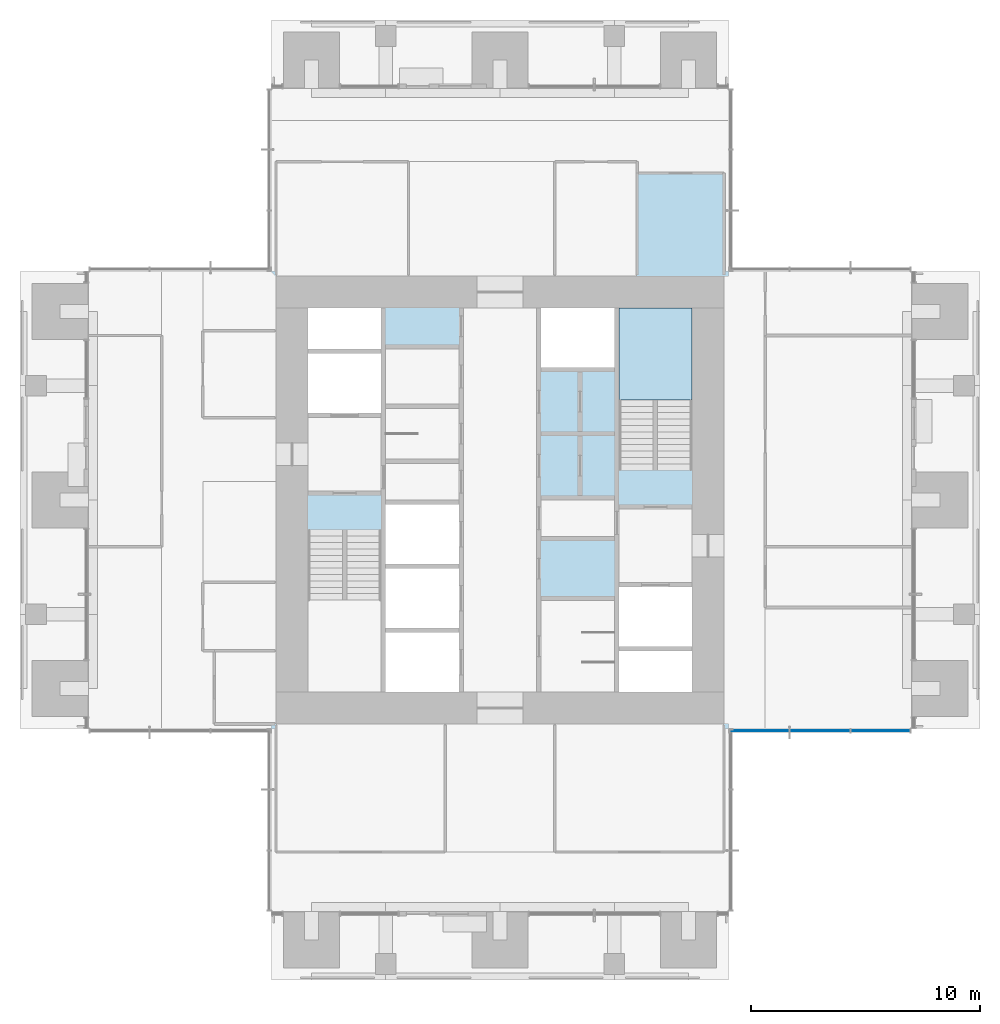
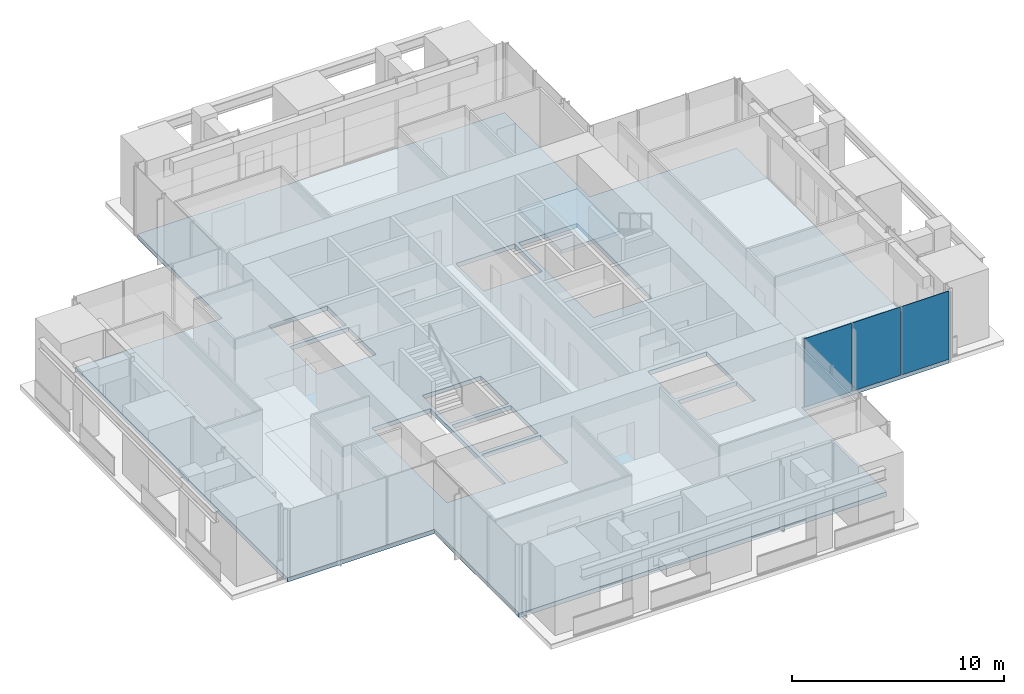
# One storey, part 9 of 17: 3 plates, 2 slabs, 2 elements without a shape of their own.
"""IFC4 building model written with IfcOpenShell, lengths in metres."""

from ifc_helpers import new_model, si_unit, direction, frame, origin, origin_2d, place, context, subcontext, project, spatial, polyline, rectangle, outline, extrude, material, layer, layer_set, type_object, element, aggregate, save


model = new_model("IFC4")

# Units and contexts
model_context = context("Model", 3, precision=1e-05, world=origin(), true_north=direction((0.0, 1.0)))
body_context = subcontext(model_context, "Body", "Model", "MODEL_VIEW")
ifc_project = project(units=[si_unit("LENGTHUNIT", "METRE"), si_unit("AREAUNIT", "SQUARE_METRE"), si_unit("VOLUMEUNIT", "CUBIC_METRE"), si_unit("PLANEANGLEUNIT", "RADIAN"), si_unit("MASSUNIT", "GRAM", prefix="KILO")], contexts=[model_context])

# Site, building, storey
site_placement = place(None, origin())
site = spatial("IfcSite", under=ifc_project, at=site_placement, CompositionType="ELEMENT")
building_placement = place(site_placement, origin())
building = spatial("IfcBuilding", under=site, at=building_placement, Name="Svetlomir Tower", CompositionType="ELEMENT")
storey_placement = place(building_placement, frame((0.0, 0.0, 214.5)))
storey = spatial("IfcBuildingStorey", under=building, at=storey_placement, Name="L51", CompositionType="ELEMENT", Elevation=214.5)

# Curtain wall, plates
ifc_material_1 = material(Name="Bronze anodised aluminium curtain wall", Category="aluminium")
curtain_wall_type = type_object("IfcCurtainWallType", Name="CURTAIN WALL CW1 TOWER OFFICE", PredefinedType="NOTDEFINED", material=ifc_material_1)
curtain_wall_placement = place(storey_placement, origin())
curtain_wall = element("IfcCurtainWall", 1, at=curtain_wall_placement, inside=storey, type_object=curtain_wall_type, Name="Curtain wall CW1 L51", PredefinedType="NOTDEFINED")
ifc_material_2 = material(Name="Tinted double glazed unit", Category="glass")
ifc_layer_1 = layer(ifc_material_2, 0.031982421875)
ifc_layer_set_1 = layer_set([ifc_layer_1], Name="Tinted double glazed unit")
plate_type = type_object("IfcPlateType", Name="CW1 GLAZED PANEL 32", PredefinedType="CURTAIN_PANEL", material=ifc_layer_set_1)
plate_1_placement = place(storey_placement, frame((32.349609375, 10.89990234375, 0.06494140625), z_axis=(0.0, 0.0, 1.0), x_axis=(1.0, 0.0, 0.0)))
plate_1 = element("IfcPlate", 2, at=plate_1_placement, type_object=plate_type, Name="CW1 panel 1.1", PredefinedType="CURTAIN_PANEL", context=body_context, shape_type="SweptSolid", body=[
    extrude(rectangle(XDim=2.569091796875, YDim=0.031982421875, at=origin_2d()), origin(), (0.0, 0.0, 1.0), 3.93505859375),
])
plate_2_placement = place(storey_placement, frame((35.0, 10.89990234375, 0.06494140625), z_axis=(0.0, 0.0, 1.0), x_axis=(1.0, 0.0, 0.0)))
plate_2 = element("IfcPlate", 3, at=plate_2_placement, type_object=plate_type, Name="CW1 panel 2.1", PredefinedType="CURTAIN_PANEL", context=body_context, shape_type="SweptSolid", body=[
    extrude(rectangle(XDim=2.6015625, YDim=0.031982421875, at=origin_2d()), origin(), (0.0, 0.0, 1.0), 3.93505859375),
])
plate_3_placement = place(storey_placement, frame((37.650390625, 10.89990234375, 0.06494140625), z_axis=(0.0, 0.0, 1.0), x_axis=(1.0, 0.0, 0.0)))
plate_3 = element("IfcPlate", 4, at=plate_3_placement, type_object=plate_type, Name="CW1 panel 3.1", PredefinedType="CURTAIN_PANEL", context=body_context, shape_type="SweptSolid", body=[
    extrude(rectangle(XDim=2.569091796875, YDim=0.031982421875, at=origin_2d()), origin(), (0.0, 0.0, 1.0), 3.93505859375),
])
aggregate(curtain_wall, [plate_1, plate_2, plate_3])

# Slab
ifc_material_3 = material(Name="Concrete C60/75", Category="concrete")
ifc_layer_2 = layer(ifc_material_3, 0.25)
ifc_layer_set_2 = layer_set([ifc_layer_2], Name="Concrete C60/75")
slab_type_1 = type_object("IfcSlabType", Name="FLOOR SLAB 250", PredefinedType="FLOOR", material=ifc_layer_set_2)
slab_1_placement = place(storey_placement, frame((0.0, 0.0, -0.25)))
element("IfcSlab", 5, at=slab_1_placement, inside=storey, type_object=slab_type_1, Name="L51 floor slab", PredefinedType="FLOOR", context=body_context, shape_type="SweptSolid", body=[
    extrude(outline(polyline([(11.0, 3.0), (31.0, 3.0), (31.0, 11.0), (39.0, 11.0), (39.0, 31.0), (31.0, 31.0), (31.0, 39.0), (11.0, 39.0), (11.0, 31.0), (3.0, 31.0), (3.0, 11.0), (11.0, 11.0), (11.0, 3.0)]), holes=[polyline([(12.60009765625, 24.800048828125), (15.800048828125, 24.800048828125), (15.800048828125, 27.39990234375), (12.60009765625, 27.39990234375), (12.60009765625, 24.800048828125)]), polyline([(26.199951171875, 14.60009765625), (29.39990234375, 14.60009765625), (29.39990234375, 17.199951171875), (26.199951171875, 17.199951171875), (26.199951171875, 14.60009765625)]), polyline([(16.0, 12.60009765625), (19.199951171875, 12.60009765625), (19.199951171875, 15.199951171875), (16.0, 15.199951171875), (16.0, 12.60009765625)]), polyline([(16.0, 15.39990234375), (19.199951171875, 15.39990234375), (19.199951171875, 18.0), (16.0, 18.0), (16.0, 15.39990234375)]), polyline([(16.0, 18.199951171875), (19.199951171875, 18.199951171875), (19.199951171875, 20.800048828125), (16.0, 20.800048828125), (16.0, 18.199951171875)]), polyline([(22.800048828125, 26.800048828125), (26.0, 26.800048828125), (26.0, 29.39990234375), (22.800048828125, 29.39990234375), (22.800048828125, 26.800048828125)]), polyline([(12.60009765625, 27.60009765625), (15.800048828125, 27.60009765625), (15.800048828125, 29.39990234375), (12.60009765625, 29.39990234375), (12.60009765625, 27.60009765625)]), polyline([(26.199951171875, 12.60009765625), (29.39990234375, 12.60009765625), (29.39990234375, 14.39990234375), (26.199951171875, 14.39990234375), (26.199951171875, 12.60009765625)]), polyline([(12.60009765625, 12.60009765625), (15.800048828125, 12.60009765625), (15.800048828125, 19.679931640625), (12.60009765625, 19.679931640625), (12.60009765625, 12.60009765625)]), polyline([(26.199951171875, 22.320068359375), (29.39990234375, 22.320068359375), (29.39990234375, 29.39990234375), (26.199951171875, 29.39990234375), (26.199951171875, 22.320068359375)])]), origin(), (0.0, 0.0, 1.0), 0.25),
])

# Stair, slab
ifc_material_4 = material(Name="Concrete C60/75", Category="concrete")
stair_type = type_object("IfcStairType", Name="EXIT STAIR 3200 RISE 4000", PredefinedType="HALF_TURN_STAIR", material=ifc_material_4)
stair_placement = place(storey_placement, origin())
stair = element("IfcStair", 6, at=stair_placement, inside=storey, type_object=stair_type, Name="Stair S2 L51 to L52", PredefinedType="HALF_TURN_STAIR")
ifc_material_5 = material(Name="Concrete C60/75", Category="concrete")
ifc_layer_3 = layer(ifc_material_5, 0.199951171875)
ifc_layer_set_3 = layer_set([ifc_layer_3], Name="Concrete C60/75")
slab_type_2 = type_object("IfcSlabType", Name="STAIR LANDING 200", PredefinedType="LANDING", material=ifc_layer_set_3)
slab_2_placement = place(storey_placement, frame((0.0, 0.0, 1.800048828125)))
slab_2 = element("IfcSlab", 7, at=slab_2_placement, type_object=slab_type_2, Name="S2 landing 1", PredefinedType="LANDING", context=body_context, shape_type="SweptSolid", body=[
    extrude(outline(polyline([(26.199951171875, 25.3798828125), (29.39990234375, 25.3798828125), (29.39990234375, 29.39990234375), (26.199951171875, 29.39990234375), (26.199951171875, 25.3798828125)])), origin(), (0.0, 0.0, 1.0), 0.199951171875),
])
aggregate(stair, [slab_2])

save(model, "model.ifc")
